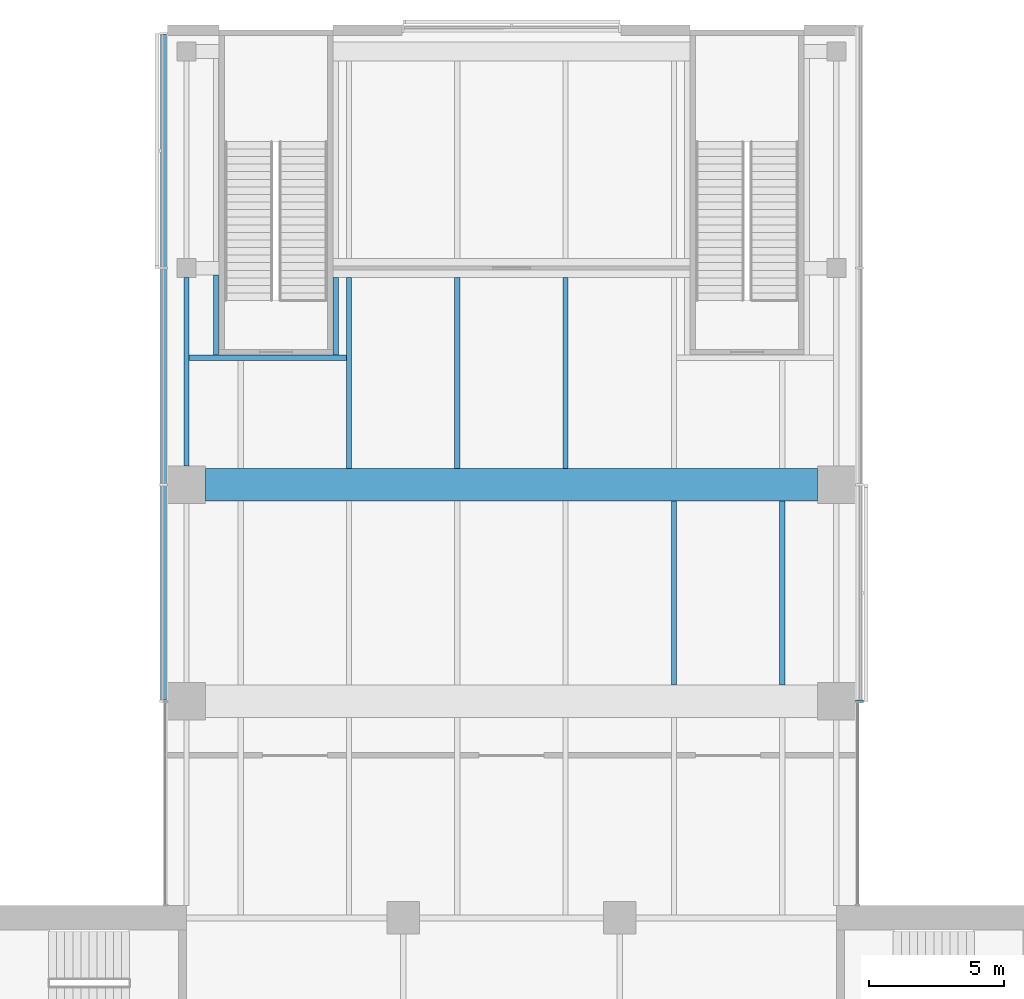
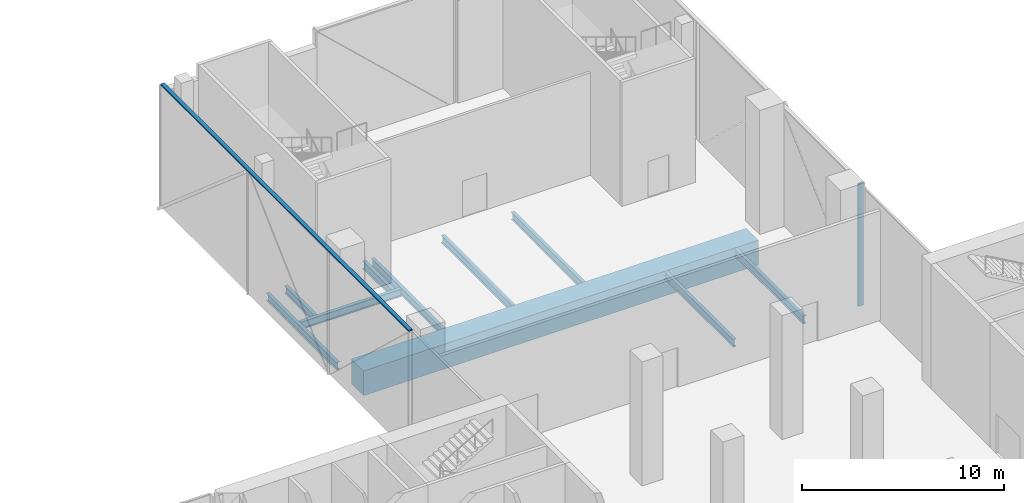
# One storey, part 9 of 25: 10 beams, 2 members, 2 elements without a shape of their own.
"""IFC4 building model written with IfcOpenShell, lengths in metres."""

from ifc_helpers import new_model, si_unit, direction, frame, origin, origin_2d, place, context, subcontext, project, spatial, rectangle, i_section, extrude, material, material_profile, profile_set, type_object, element, aggregate, save


model = new_model("IFC4")

# Units and contexts
model_context = context("Model", 3, precision=1e-05, world=origin(), true_north=direction((0.0, 1.0)))
body_context = subcontext(model_context, "Body", "Model", "MODEL_VIEW")
ifc_project = project(units=[si_unit("LENGTHUNIT", "METRE"), si_unit("AREAUNIT", "SQUARE_METRE"), si_unit("VOLUMEUNIT", "CUBIC_METRE"), si_unit("PLANEANGLEUNIT", "RADIAN"), si_unit("MASSUNIT", "GRAM", prefix="KILO")], contexts=[model_context])

# Site, building, storey
site_placement = place(None, origin())
site = spatial("IfcSite", under=ifc_project, at=site_placement, CompositionType="ELEMENT")
building_placement = place(site_placement, origin())
building = spatial("IfcBuilding", under=site, at=building_placement, Name="Crosswind Convention Tower", CompositionType="ELEMENT")
storey_placement = place(building_placement, frame((0.0, 0.0, 34.0)))
storey = spatial("IfcBuildingStorey", under=building, at=storey_placement, Name="L04", CompositionType="ELEMENT", Elevation=34.0)

# Beam
ifc_material_1 = material(Name="Steel S355", Category="steel")
ifc_material_profile_1 = material_profile(ifc_material_1, i_section(OverallWidth=0.19287109375, OverallDepth=0.467529296875, WebThickness=0.011474609375, FlangeThickness=0.01953125, FilletRadius=0.01025390625, at=origin_2d()), Name="UB 457x191x98")
ifc_profile_set_1 = profile_set([ifc_material_profile_1], Name="Steel S355")
beam_type_1 = type_object("IfcBeamType", Name="Edge beam UB 457x191x98", PredefinedType="SPANDREL", material=ifc_profile_set_1)
beam_1_placement = place(storey_placement, frame((113.0, 128.699951171875, -0.6337890625), z_axis=(0.0, 1.0, 0.0), x_axis=(-1.0, 0.0, 0.0)))
element("IfcBeam", 1, at=beam_1_placement, inside=storey, type_object=beam_type_1, Name="B20 L04 edge beam 11", PredefinedType="SPANDREL", context=body_context, shape_type="SweptSolid", body=[
    extrude(i_section(OverallWidth=0.19287109375, OverallDepth=0.467529296875, WebThickness=0.011474609375, FlangeThickness=0.01953125, FilletRadius=0.01025390625, at=origin_2d()), origin(), (0.0, 0.0, 1.0), 6.949951171875),
])

# Curtain wall, member
ifc_material_2 = material(Name="Aluminium unitised curtain wall", Category="aluminium")
curtain_wall_type = type_object("IfcCurtainWallType", Name="PODIUM UNITISED WALL 300", PredefinedType="USERDEFINED", material=ifc_material_2)
curtain_wall_1_placement = place(storey_placement, origin())
curtain_wall_1 = element("IfcCurtainWall", 2, at=curtain_wall_1_placement, inside=storey, type_object=curtain_wall_type, Name="CW1 L04 N-E 1", ObjectType="UNITISED", PredefinedType="USERDEFINED")
ifc_material_3 = material(Name="Aluminium mullion", Category="aluminium")
ifc_material_profile_2 = material_profile(ifc_material_3, rectangle(XDim=0.300048828125, YDim=0.080078125, at=origin_2d()), Name="AL 300X80")
ifc_profile_set_2 = profile_set([ifc_material_profile_2], Name="Aluminium mullion")
member_type_1 = type_object("IfcMemberType", Name="MULLION 80X300", PredefinedType="MULLION", material=ifc_profile_set_2)
member_1_placement = place(storey_placement, frame((137.85009765625, 120.0, -0.39990234375), z_axis=(0.0, 0.0, 1.0), x_axis=(1.0, 0.0, 0.0)))
member_1 = element("IfcMember", 3, at=member_1_placement, type_object=member_type_1, Name="CW1 mullion 1", PredefinedType="MULLION", context=body_context, shape_type="SweptSolid", body=[
    extrude(rectangle(XDim=0.300048828125, YDim=0.080078125, at=origin_2d()), origin(), (0.0, 0.0, 1.0), 7.419921875),
])
aggregate(curtain_wall_1, [member_1])

# Beams
ifc_material_4 = material(Name="Concrete C70/85", Category="concrete")
ifc_material_profile_3 = material_profile(ifc_material_4, rectangle(XDim=1.199951171875, YDim=1.5, at=origin_2d()), Name="RC 1200X1500")
ifc_profile_set_3 = profile_set([ifc_material_profile_3], Name="Concrete C70/85")
beam_type_2 = type_object("IfcBeamType", Name="Prestressed concrete girder RC 1200X1500", PredefinedType="BEAM", material=ifc_profile_set_3)
beam_2_placement = place(storey_placement, frame((113.699951171875, 128.0, -1.14990234375), z_axis=(1.0, 0.0, 0.0), x_axis=(0.0, 1.0, 0.0)))
element("IfcBeam", 4, at=beam_2_placement, inside=storey, type_object=beam_type_2, Name="B39 L04 prestressed concrete girder 4", PredefinedType="BEAM", context=body_context, shape_type="SweptSolid", body=[
    extrude(rectangle(XDim=1.199951171875, YDim=1.5, at=origin_2d()), origin(), (0.0, 0.0, 1.0), 22.60009765625),
])
ifc_material_profile_4 = material_profile(ifc_material_1, i_section(OverallWidth=0.19140625, OverallDepth=0.460205078125, WebThickness=0.010009765625, FlangeThickness=0.01611328125, FilletRadius=0.01025390625, at=origin_2d()), Name="UB 457x191x82")
ifc_profile_set_4 = profile_set([ifc_material_profile_4], Name="Steel S355")
beam_type_3 = type_object("IfcBeamType", Name="Secondary beam UB 457x191x82", PredefinedType="JOIST", material=ifc_profile_set_4)
for number, where, z_axis, x_axis, name in (
    (5, (119.0, 128.60009765625, -0.630126953125), (0.0, 1.0, 0.0), (-1.0, 0.0, 0.0), "B13 L04 secondary beam 26"),
    (6, (123.0, 128.60009765625, -0.630126953125), (0.0, 1.0, 0.0), (-1.0, 0.0, 0.0), "B13 L04 secondary beam 37"),
    (7, (127.0, 128.60009765625, -0.630126953125), (0.0, 1.0, 0.0), (-1.0, 0.0, 0.0), "B13 L04 secondary beam 45"),
):
    element("IfcBeam", number, at=place(storey_placement, frame(where, z_axis=z_axis, x_axis=x_axis)), inside=storey, type_object=beam_type_3, Name=name, PredefinedType="JOIST", context=body_context, shape_type="SweptSolid", body=[
        extrude(i_section(OverallWidth=0.19140625, OverallDepth=0.460205078125, WebThickness=0.010009765625, FlangeThickness=0.01611328125, FilletRadius=0.01025390625, at=origin_2d()), origin(), (0.0, 0.0, 1.0), 7.0498046875),
    ])
for number, where, z_axis, x_axis, name in (
    (8, (131.0, 120.60009765625, -0.630126953125), (0.0, 1.0, 0.0), (-1.0, 0.0, 0.0), "B13 L04 secondary beam 55"),
    (9, (135.0, 120.60009765625, -0.630126953125), (0.0, 1.0, 0.0), (-1.0, 0.0, 0.0), "B13 L04 secondary beam 62"),
):
    element("IfcBeam", number, at=place(storey_placement, frame(where, z_axis=z_axis, x_axis=x_axis)), inside=storey, type_object=beam_type_3, Name=name, PredefinedType="JOIST", context=body_context, shape_type="SweptSolid", body=[
        extrude(i_section(OverallWidth=0.19140625, OverallDepth=0.460205078125, WebThickness=0.010009765625, FlangeThickness=0.01611328125, FilletRadius=0.01025390625, at=origin_2d()), origin(), (0.0, 0.0, 1.0), 6.7998046875),
    ])

# Curtain wall, member
curtain_wall_2_placement = place(storey_placement, origin())
curtain_wall_2 = element("IfcCurtainWall", 10, at=curtain_wall_2_placement, inside=storey, type_object=curtain_wall_type, Name="CW1 L04 N-W 1", ObjectType="UNITISED", PredefinedType="USERDEFINED")
ifc_material_5 = material(Name="Aluminium transom", Category="aluminium")
ifc_material_profile_5 = material_profile(ifc_material_5, rectangle(XDim=0.219970703125, YDim=0.080078125, at=origin_2d()), Name="AL 220X80")
ifc_profile_set_5 = profile_set([ifc_material_profile_5], Name="Aluminium transom")
member_type_2 = type_object("IfcMemberType", Name="TRANSOM 80X220", PredefinedType="USERDEFINED", material=ifc_profile_set_5)
member_2_placement = place(storey_placement, frame((112.14990234375, 144.6201171875, 7.06005859375), z_axis=(0.0, -1.0, 0.0), x_axis=(1.0, 0.0, 0.0)))
member_2 = element("IfcMember", 11, at=member_2_placement, type_object=member_type_2, Name="CW1 transom", ObjectType="TRANSOM", PredefinedType="USERDEFINED", context=body_context, shape_type="SweptSolid", body=[
    extrude(rectangle(XDim=0.219970703125, YDim=0.080078125, at=origin_2d()), origin(), (0.0, 0.0, 1.0), 24.580078125),
])
aggregate(curtain_wall_2, [member_2])

# Beams
ifc_material_profile_6 = material_profile(ifc_material_1, i_section(OverallWidth=0.19189453125, OverallDepth=0.463623046875, WebThickness=0.010498046875, FlangeThickness=0.017578125, FilletRadius=0.01025390625, at=origin_2d()), Name="UB 457x191x90")
ifc_profile_set_6 = profile_set([ifc_material_profile_6], Name="Steel S355")
beam_type_4 = type_object("IfcBeamType", Name="Trimmer beam UB 457x191x90", PredefinedType="BEAM", material=ifc_profile_set_6)
beam_3_placement = place(storey_placement, frame((113.096435546875, 132.68994140625, -0.6318359375), z_axis=(1.0, 0.0, 0.0), x_axis=(0.0, 1.0, 0.0)))
element("IfcBeam", 12, at=beam_3_placement, inside=storey, type_object=beam_type_4, Name="B33 L04 trimmer beam 12", PredefinedType="BEAM", context=body_context, shape_type="SweptSolid", body=[
    extrude(i_section(OverallWidth=0.19189453125, OverallDepth=0.463623046875, WebThickness=0.010498046875, FlangeThickness=0.017578125, FilletRadius=0.01025390625, at=origin_2d()), origin(), (0.0, 0.0, 1.0), 5.807861328125),
])
beam_4_placement = place(storey_placement, frame((114.090087890625, 132.785888671875, -0.6318359375), z_axis=(0.0, 1.0, 0.0), x_axis=(-1.0, 0.0, 0.0)))
element("IfcBeam", 13, at=beam_4_placement, inside=storey, type_object=beam_type_4, Name="B33 L04 trimmer beam 15", PredefinedType="BEAM", context=body_context, shape_type="SweptSolid", body=[
    extrude(i_section(OverallWidth=0.19189453125, OverallDepth=0.463623046875, WebThickness=0.010498046875, FlangeThickness=0.017578125, FilletRadius=0.01025390625, at=origin_2d()), origin(), (0.0, 0.0, 1.0), 2.964111328125),
])
beam_5_placement = place(storey_placement, frame((118.510009765625, 132.785888671875, -0.6318359375), z_axis=(0.0, 1.0, 0.0), x_axis=(-1.0, 0.0, 0.0)))
element("IfcBeam", 14, at=beam_5_placement, inside=storey, type_object=beam_type_4, Name="B33 L04 trimmer beam 19", PredefinedType="BEAM", context=body_context, shape_type="SweptSolid", body=[
    extrude(i_section(OverallWidth=0.19189453125, OverallDepth=0.463623046875, WebThickness=0.010498046875, FlangeThickness=0.017578125, FilletRadius=0.01025390625, at=origin_2d()), origin(), (0.0, 0.0, 1.0), 2.864013671875),
])

save(model, "model.ifc")
